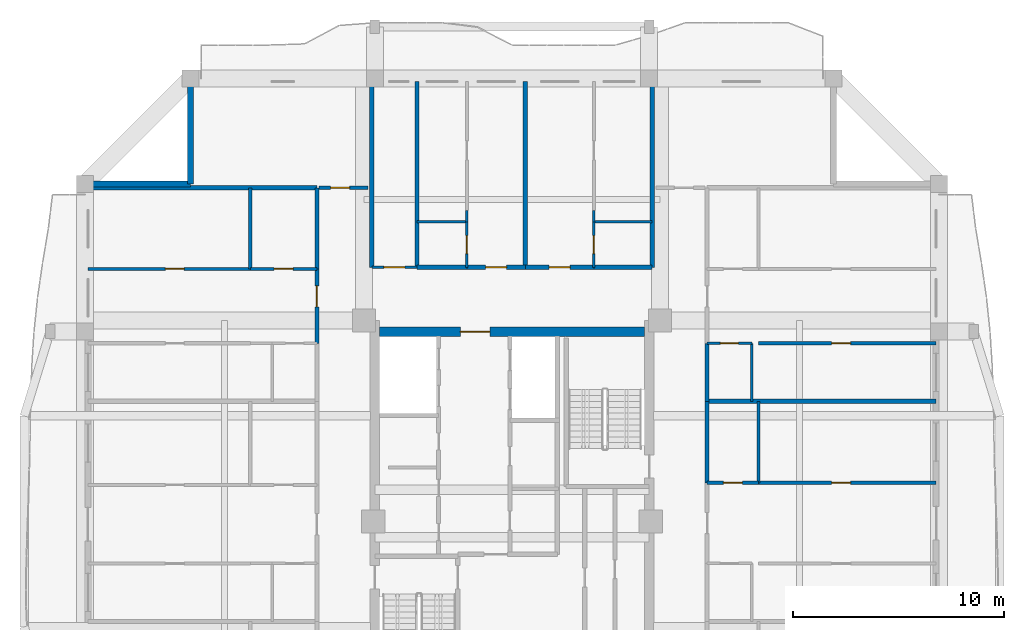
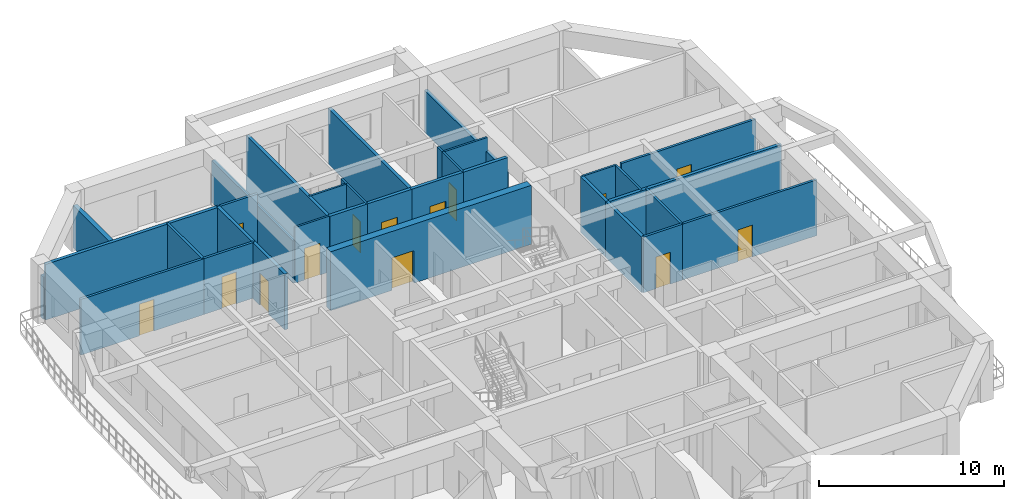
# One storey, part 6 of 14: 34 walls, 14 doors, 14 openings.
"""IFC4 building model written with IfcOpenShell, lengths in metres."""

import ifcopenshell
import ifcopenshell.guid

model = None  # the IFC model being written
_history = None  # IfcOwnerHistory: only IFC2X3 demands one
_inside = {}  # id of a spatial element -> (the spatial element, [elements in it])
_under = {}  # id of a project, library or spatial element -> (it, [spatial elements below it])
_declared = {}  # id of a project -> (the project, [libraries it declares])
_typed = {}  # id of a type object -> (the type object, [elements of that type])
_made_of = {}  # id of a material, layer set ... -> (it, [elements and type objects made of it])


def new_model(schema):
    """Start an empty IFC model of exactly this schema.

    Asked for "IFC4X3", IfcOpenShell would pick the latest addendum, in which some entities
    have other attributes; the version numbers below select the first issue.
    IFC2X3 requires an IfcOwnerHistory on every rooted entity: one is made here for all.
    """
    global model, _history
    if schema == "IFC4X3":
        model = ifcopenshell.file(schema_version=(4, 3, 0, 0))
    else:
        model = ifcopenshell.file(schema=schema)
    _inside.clear()
    _under.clear()
    _declared.clear()
    _typed.clear()
    _made_of.clear()
    _history = None
    if model.schema == "IFC2X3":
        org = make("IfcOrganization", Name="unknown")
        user = make(
            "IfcPersonAndOrganization",
            ThePerson=make("IfcPerson", FamilyName="unknown"),
            TheOrganization=org,
        )
        app = make(
            "IfcApplication",
            ApplicationDeveloper=org,
            Version="unknown",
            ApplicationFullName="unknown",
            ApplicationIdentifier="unknown",
        )
        _history = make(
            "IfcOwnerHistory",
            OwningUser=user,
            OwningApplication=app,
            ChangeAction="ADDED",
            CreationDate=0,
        )
    return model


def make(cls, **values):
    """One entity of the class cls with the attributes given. An attribute that is None is left unset."""
    return model.create_entity(
        cls, **{name: value for name, value in values.items() if value is not None}
    )


def rooted(cls, **values):
    """An entity with a GlobalId (a new one), such as an element, a storey or a relation."""
    return make(cls, GlobalId=ifcopenshell.guid.new(), OwnerHistory=_history, **values)


def si_unit(unit_type, name, prefix=None):
    """IfcSIUnit, for example si_unit("LENGTHUNIT", "METRE", prefix="MILLI")."""
    return make("IfcSIUnit", UnitType=unit_type, Prefix=prefix, Name=name)


def assignment(units):
    """IfcUnitAssignment: the units of a project."""
    return None if units is None else make("IfcUnitAssignment", Units=units)


def point(xyz):
    """IfcCartesianPoint."""
    return None if xyz is None else make("IfcCartesianPoint", Coordinates=xyz)


def direction(xyz):
    """IfcDirection."""
    return None if xyz is None else make("IfcDirection", DirectionRatios=xyz)


def frame(location, z_axis=None, x_axis=None):
    """IfcAxis2Placement3D, a coordinate frame: its origin and axes. An axis left out is left unset."""
    return make(
        "IfcAxis2Placement3D",
        Location=point(location),
        Axis=direction(z_axis),
        RefDirection=direction(x_axis),
    )


def frame_2d(location, x_axis=None):
    """IfcAxis2Placement2D, a coordinate frame in the plane: its origin and x axis."""
    return make(
        "IfcAxis2Placement2D", Location=point(location), RefDirection=direction(x_axis)
    )


def origin():
    """The frame at (0, 0, 0) with its axes left unset."""
    return frame((0.0, 0.0, 0.0))


def place(relative_to, where):
    """IfcLocalPlacement: puts the frame where relative to a parent placement (None: the world)."""
    return make(
        "IfcLocalPlacement", PlacementRelTo=relative_to, RelativePlacement=where
    )


def context(
    kind, dimensions, precision=None, world=None, true_north=None, identifier=None
):
    """IfcGeometricRepresentationContext, for example the 3D "Model" context."""
    return make(
        "IfcGeometricRepresentationContext",
        ContextIdentifier=identifier,
        ContextType=kind,
        CoordinateSpaceDimension=dimensions,
        Precision=precision,
        WorldCoordinateSystem=world,
        TrueNorth=true_north,
    )


def subcontext(parent, identifier, kind, view, scale=None):
    """IfcGeometricRepresentationSubContext, for example "Body" below "Model"."""
    return make(
        "IfcGeometricRepresentationSubContext",
        ContextIdentifier=identifier,
        ContextType=kind,
        ParentContext=parent,
        TargetScale=scale,
        TargetView=view,
    )


def project(units=None, contexts=None):
    """IfcProject with its units and contexts."""
    return rooted(
        "IfcProject",
        Name="project",
        RepresentationContexts=contexts,
        UnitsInContext=assignment(units),
    )


def spatial(cls, under=None, at=None, **own):
    """A site, building, storey or space (cls), placed at a placement, below another one or the project."""
    s = rooted(cls, ObjectPlacement=at, **own)
    if under is not None:
        _under.setdefault(under.id(), (under, []))[1].append(s)
    return s


def profile(cls, at=None, kind="AREA", **sizes):
    """A parametric profile (cls). Its sizes go by their IFC names, for example OverallWidth=200.0."""
    return make(cls, ProfileType=kind, Position=at, **sizes)


def rectangle(**sizes):
    """IfcRectangleProfileDef."""
    return profile("IfcRectangleProfileDef", **sizes)


def extrude(swept, where, along, depth):
    """IfcExtrudedAreaSolid: the profile swept, set in the frame where, extruded along a direction by depth."""
    return make(
        "IfcExtrudedAreaSolid",
        SweptArea=swept,
        Position=where,
        ExtrudedDirection=direction(along),
        Depth=depth,
    )


def shape(context_of_items, identifier, shape_type, items):
    """IfcShapeRepresentation: the items that make up one representation, for example the "Body"."""
    return make(
        "IfcShapeRepresentation",
        ContextOfItems=context_of_items,
        RepresentationIdentifier=identifier,
        RepresentationType=shape_type,
        Items=items,
    )


def source(mapping_origin, context_of_items, identifier, shape_type, items):
    """IfcRepresentationMap: a shape defined once, which mapped items show again and again."""
    return make(
        "IfcRepresentationMap",
        MappingOrigin=mapping_origin,
        MappedRepresentation=shape(context_of_items, identifier, shape_type, items),
    )


def transform(
    local_origin,
    x_axis=None,
    y_axis=None,
    z_axis=None,
    scale=None,
    scale2=None,
    scale3=None,
    uniform=True,
):
    """IfcCartesianTransformationOperator3D, or its non-uniform kind. x_axis, y_axis, z_axis: its Axis1, 2, 3."""
    if uniform:
        return make(
            "IfcCartesianTransformationOperator3D",
            Axis1=direction(x_axis),
            Axis2=direction(y_axis),
            LocalOrigin=point(local_origin),
            Scale=scale,
            Axis3=direction(z_axis),
        )
    return make(
        "IfcCartesianTransformationOperator3DnonUniform",
        Axis1=direction(x_axis),
        Axis2=direction(y_axis),
        LocalOrigin=point(local_origin),
        Scale=scale,
        Axis3=direction(z_axis),
        Scale2=scale2,
        Scale3=scale3,
    )


def mapped(mapping_source, mapping_target):
    """IfcMappedItem: shows the shape of a source again, moved by a transform."""
    return make(
        "IfcMappedItem", MappingSource=mapping_source, MappingTarget=mapping_target
    )


def material(Name=None, Category=None):
    """IfcMaterial."""
    return make("IfcMaterial", Name=Name, Category=Category)


def layer(
    of_material, thickness, ventilated=None, Name=None, Category=None, Priority=None
):
    """IfcMaterialLayer: one layer of a wall or slab, of a material (None: an air gap)."""
    return make(
        "IfcMaterialLayer",
        Material=of_material,
        LayerThickness=thickness,
        IsVentilated=ventilated,
        Name=Name,
        Category=Category,
        Priority=Priority,
    )


def layer_set(layers, Name=None):
    """IfcMaterialLayerSet."""
    return make("IfcMaterialLayerSet", MaterialLayers=layers, LayerSetName=Name)


def made_of(thing, what):
    """Note that an element or type object is made of a material, layer set ...; save() writes the relation."""
    if what is not None:
        _made_of.setdefault(what.id(), (what, []))[1].append(thing)
    return thing


def type_object(cls, material=None, **own):
    """A type object (cls), such as IfcWallType, which elements share."""
    return made_of(rooted(cls, **own), material)


def element(
    cls,
    number,
    at=None,
    inside=None,
    cuts=None,
    type_object=None,
    material=None,
    context=None,
    identifier="Body",
    shape_type=None,
    held_by="IfcProductDefinitionShape",
    body=None,
    shapes=None,
    **own,
):
    """One element of the class cls, such as IfcWall. Its Tag is "e" and its number.

    at: its placement. inside: the storey or other place that contains it. cuts: it is an
    opening in that element (IfcRelVoidsElement). A single representation is given by context,
    identifier, shape_type and body (its items); several are given by shapes. held_by: the class
    of the entity that holds the representations. save() writes the other relations.
    """
    e = rooted(cls, Tag="e%d" % number, ObjectPlacement=at, **own)
    if body is not None:
        shapes = [shape(context, identifier, shape_type, body)]
    if shapes is not None:
        e.Representation = make(held_by, Representations=shapes)
    if inside is not None:
        _inside.setdefault(inside.id(), (inside, []))[1].append(e)
    if cuts is not None:
        rooted(
            "IfcRelVoidsElement", RelatingBuildingElement=cuts, RelatedOpeningElement=e
        )
    if type_object is not None:
        _typed.setdefault(type_object.id(), (type_object, []))[1].append(e)
    return made_of(e, material)


def fill(opening, filler):
    """IfcRelFillsElement: the door or window that sits in an opening."""
    return rooted(
        "IfcRelFillsElement",
        RelatingOpeningElement=opening,
        RelatedBuildingElement=filler,
    )


def aggregate(whole, parts):
    """IfcRelAggregates: a whole, such as a stair, and the parts it consists of."""
    return rooted("IfcRelAggregates", RelatingObject=whole, RelatedObjects=parts)


def save(model, path):
    """Write the relations noted so far, then the file.

    IfcRelAggregates (storeys below a building ...), IfcRelContainedInSpatialStructure (elements
    in a storey), IfcRelDefinesByType, IfcRelAssociatesMaterial and IfcRelDeclares: one each for
    every whole, place, type object, material and project.
    """
    for whole, parts in _under.values():
        aggregate(whole, parts)
    for where, things in _inside.values():
        rooted(
            "IfcRelContainedInSpatialStructure",
            RelatedElements=things,
            RelatingStructure=where,
        )
    for kind, things in _typed.values():
        rooted("IfcRelDefinesByType", RelatedObjects=things, RelatingType=kind)
    for what, things in _made_of.values():
        rooted("IfcRelAssociatesMaterial", RelatedObjects=things, RelatingMaterial=what)
    for by, libraries in _declared.values():
        rooted("IfcRelDeclares", RelatingContext=by, RelatedDefinitions=libraries)
    model.write(path)


model = new_model("IFC4")

# Units and contexts
model_context = context("Model", 3, precision=1e-05, world=origin(), true_north=direction((0.0, 1.0)))
body_context = subcontext(model_context, "Body", "Model", "MODEL_VIEW")
ifc_project = project(units=[si_unit("LENGTHUNIT", "METRE"), si_unit("AREAUNIT", "SQUARE_METRE"), si_unit("VOLUMEUNIT", "CUBIC_METRE"), si_unit("PLANEANGLEUNIT", "RADIAN"), si_unit("MASSUNIT", "GRAM", prefix="KILO")], contexts=[model_context])

# Site, building, storey
site_placement = place(None, origin())
site = spatial("IfcSite", under=ifc_project, at=site_placement, CompositionType="ELEMENT")
building_placement = place(site_placement, origin())
building = spatial("IfcBuilding", under=site, at=building_placement, Name="Saelheon Loggia Tower", CompositionType="ELEMENT")
storey_placement = place(building_placement, frame((0.0, 0.0, 182.800048828125)))
storey = spatial("IfcBuildingStorey", under=building, at=storey_placement, Name="L57", CompositionType="ELEMENT", Elevation=182.800048828125)

# Wall, opening, door
ifc_material_1 = material(Name="Concrete C45/55", Category="concrete")
ifc_layer_1 = layer(ifc_material_1, 0.449951171875)
ifc_layer_set_1 = layer_set([ifc_layer_1], Name="Concrete C45/55")
wall_type_1 = type_object("IfcWallType", Name="Wall_CoreShear_450", PredefinedType="SHEAR", material=ifc_layer_set_1)
wall_1_placement = place(storey_placement, frame((31.72509765625, 36.0, 0.0), z_axis=(0.0, 0.0, 1.0), x_axis=(1.0, 0.0, 0.0)))
wall_1 = element("IfcWall", 1, at=wall_1_placement, inside=storey, type_object=wall_type_1, Name="L57 Core Shear Wall North", PredefinedType="SHEAR", context=body_context, shape_type="SweptSolid", body=[
    extrude(rectangle(XDim=12.5498046875, YDim=0.449951171875, at=frame_2d((6.27490234375, 0.0))), origin(), (0.0, 0.0, 1.0), 3.89990234375),
])
opening_1_placement = place(wall_1_placement, frame((5.224853515625, 0.0, 0.0), z_axis=(0.0, 0.0, 1.0), x_axis=(-1.0, 0.0, 0.0)))
opening_1 = element("IfcOpeningElement", 2, at=opening_1_placement, cuts=wall_1, Name="Opening D-FD2L", PredefinedType="OPENING", context=body_context, shape_type="SweptSolid", body=[
    extrude(rectangle(XDim=1.39990234375, YDim=2.14990234375, at=frame_2d((0.699951171875, 1.074951171875))), frame((0.0, 0.237060546875, 0.0), z_axis=(0.0, -1.0, 0.0), x_axis=(1.0, 0.0, 0.0)), (0.0, 0.0, 1.0), 0.473876953125),
])
ifc_material_2 = material(Name="Galvanised Steel Glazed Lobby Fire Door", Category="steel")
door_type_1 = type_object("IfcDoorType", Name="Door_Fire_FD60_1400", OperationType="NOTDEFINED", PredefinedType="DOOR", material=ifc_material_2)
shared_shape_1 = source(origin(), body_context, "Body", "SweptSolid", [
    extrude(rectangle(XDim=1.39990234375, YDim=2.14990234375, at=frame_2d((0.699951171875, 1.074951171875))), frame((0.0, 0.02490234375, 0.0), z_axis=(0.0, -1.0, 0.0), x_axis=(1.0, 0.0, 0.0)), (0.0, 0.0, 1.0), 0.050048828125),
])
door_1_placement = place(opening_1_placement, origin())
door_1 = element("IfcDoor", 3, at=door_1_placement, inside=storey, type_object=door_type_1, Name="L57 Passenger Lift Lobby Main Door", OperationType="SINGLE_SWING_RIGHT", OverallHeight=2.14990234375, OverallWidth=1.39990234375, PredefinedType="DOOR", context=body_context, shape_type="MappedRepresentation", body=[
    mapped(shared_shape_1, transform((0.0, 0.0, 0.0), scale=1.0)),
])
fill(opening_1, door_1)

# Walls
ifc_material_3 = material(Name="Architectural Precast Concrete C40/50", Category="concrete")
ifc_layer_2 = layer(ifc_material_3, 0.280029296875)
ifc_layer_set_2 = layer_set([ifc_layer_2], Name="Architectural Precast Concrete C40/50")
wall_type_2 = type_object("IfcWallType", Name="Wall_Ext_Loggia_280", PredefinedType="SOLIDWALL", material=ifc_layer_set_2)
for number, where, z_axis, x_axis, name in (
    (4, (22.75, 43.0, 0.0), (0.0, 0.0, 1.0), (0.0, 1.0, 0.0), "L57 Corner Notch Precast Wall NW1"),
    (5, (17.830078125, 43.0, 0.0), (0.0, 0.0, 1.0), (1.0, 0.0, 0.0), "L57 Corner Notch Precast Wall NW2"),
):
    element("IfcWall", number, at=place(storey_placement, frame(where, z_axis=z_axis, x_axis=x_axis)), inside=storey, type_object=wall_type_2, Name=name, PredefinedType="SOLIDWALL", context=body_context, shape_type="SweptSolid", body=[
        extrude(rectangle(XDim=4.919921875, YDim=0.280029296875, at=frame_2d((2.4599609375, 0.0))), origin(), (0.0, 0.0, 1.0), 2.7900390625),
    ])

# Wall, opening, door
ifc_material_4 = material(Name="Lightweight Autoclaved Aerated Concrete Block and Acoustic Gypsum", Category="concrete")
ifc_layer_3 = layer(ifc_material_4, 0.14990234375)
ifc_layer_set_3 = layer_set([ifc_layer_3], Name="Lightweight Autoclaved Aerated Concrete Block and Acoustic Gypsum")
wall_type_3 = type_object("IfcWallType", Name="Wall_Part_150", PredefinedType="PARTITIONING", material=ifc_layer_set_3)
wall_2_placement = place(storey_placement, frame((28.85009765625, 42.820068359375, 0.0), z_axis=(0.0, 0.0, 1.0), x_axis=(1.0, 0.0, 0.0)))
wall_2 = element("IfcWall", 6, at=wall_2_placement, inside=storey, type_object=wall_type_3, Name="PW-L57-CNW-H", PredefinedType="PARTITIONING", context=body_context, shape_type="SweptSolid", body=[
    extrude(rectangle(XDim=2.329833984375, YDim=0.14990234375, at=frame_2d((1.1650390625, 0.0))), origin(), (0.0, 0.0, 1.0), 3.68994140625),
])
opening_2_placement = place(wall_2_placement, frame((0.550048828125, 0.0, 0.0)))
opening_2 = element("IfcOpeningElement", 7, at=opening_2_placement, cuts=wall_2, Name="Opening D-IN2", PredefinedType="OPENING", context=body_context, shape_type="SweptSolid", body=[
    extrude(rectangle(XDim=0.89990234375, YDim=2.10009765625, at=frame_2d((0.449951171875, 1.050048828125))), frame((0.0, 0.0869140625, 0.0), z_axis=(0.0, -1.0, 0.0), x_axis=(1.0, 0.0, 0.0)), (0.0, 0.0, 1.0), 0.173828125),
])
ifc_material_5 = material(Name="Engineered Oak Flush Door", Category="timber")
door_type_2 = type_object("IfcDoorType", Name="Door_Int_900", OperationType="NOTDEFINED", PredefinedType="DOOR", material=ifc_material_5)
shared_shape_2 = source(origin(), body_context, "Body", "SweptSolid", [
    extrude(rectangle(XDim=0.89990234375, YDim=2.10009765625, at=frame_2d((0.449951171875, 1.050048828125))), frame((0.0, 0.02490234375, 0.0), z_axis=(0.0, -1.0, 0.0), x_axis=(1.0, 0.0, 0.0)), (0.0, 0.0, 1.0), 0.050048828125),
])
door_2_placement = place(opening_2_placement, origin())
door_2 = element("IfcDoor", 8, at=door_2_placement, inside=storey, type_object=door_type_2, Name="L57 Corner Home Office NW Door", OperationType="SINGLE_SWING_RIGHT", OverallHeight=2.10009765625, OverallWidth=0.89990234375, PredefinedType="DOOR", context=body_context, shape_type="MappedRepresentation", body=[
    mapped(shared_shape_2, transform((0.0, 0.0, 0.0), scale=1.0)),
])
fill(opening_2, door_2)

# Wall
wall_3_placement = place(storey_placement, frame((25.590087890625, 38.97265625, 0.0), z_axis=(0.0, 0.0, 1.0), x_axis=(0.0, 1.0, 0.0)))
element("IfcWall", 9, at=wall_3_placement, inside=storey, type_object=wall_type_3, Name="L57 W Partition V29", PredefinedType="PARTITIONING", context=body_context, shape_type="SweptSolid", body=[
    extrude(rectangle(XDim=3.847412109375, YDim=0.14990234375, at=frame_2d((1.923828125, 0.0))), origin(), (0.0, 0.0, 1.0), 3.68994140625),
])

# Wall, opening, door
wall_4_placement = place(storey_placement, frame((28.75, 38.97265625, 0.0), z_axis=(0.0, 0.0, 1.0), x_axis=(-1.0, 0.0, 0.0)))
wall_4 = element("IfcWall", 10, at=wall_4_placement, inside=storey, type_object=wall_type_3, Name="L57 W Partition U33", PredefinedType="PARTITIONING", context=body_context, shape_type="SweptSolid", body=[
    extrude(rectangle(XDim=3.159912109375, YDim=0.14990234375, at=frame_2d((1.580078125, 0.0))), origin(), (0.0, 0.0, 1.0), 3.68994140625),
])
opening_3_placement = place(wall_4_placement, frame((1.1298828125, 0.0, 0.0)))
opening_3 = element("IfcOpeningElement", 11, at=opening_3_placement, cuts=wall_4, Name="Opening D-IN2", PredefinedType="OPENING", context=body_context, shape_type="SweptSolid", body=[
    extrude(rectangle(XDim=0.89990234375, YDim=2.10009765625, at=frame_2d((0.449951171875, 1.050048828125))), frame((0.0, 0.0869140625, 0.0), z_axis=(0.0, -1.0, 0.0), x_axis=(1.0, 0.0, 0.0)), (0.0, 0.0, 1.0), 0.173828125),
])
door_3_placement = place(opening_3_placement, origin())
door_3 = element("IfcDoor", 12, at=door_3_placement, inside=storey, type_object=door_type_2, Name="Unit U07 Private Study Door", OperationType="SINGLE_SWING_LEFT", OverallHeight=2.10009765625, OverallWidth=0.89990234375, PredefinedType="DOOR", context=body_context, shape_type="MappedRepresentation", body=[
    mapped(shared_shape_2, transform((0.0, 0.0, 0.0), scale=1.0)),
])
fill(opening_3, door_3)

wall_5_placement = place(storey_placement, frame((25.590087890625, 38.97265625, 0.0), z_axis=(0.0, 0.0, 1.0), x_axis=(-1.0, 0.0, 0.0)))
wall_5 = element("IfcWall", 13, at=wall_5_placement, inside=storey, type_object=wall_type_3, Name="L57 W Partition U34", PredefinedType="PARTITIONING", context=body_context, shape_type="SweptSolid", body=[
    extrude(rectangle(XDim=7.690185546875, YDim=0.14990234375, at=frame_2d((3.84521484375, 0.0))), origin(), (0.0, 0.0, 1.0), 3.68994140625),
])
opening_4_placement = place(wall_5_placement, frame((3.132080078125, 0.0, 0.0)))
opening_4 = element("IfcOpeningElement", 14, at=opening_4_placement, cuts=wall_5, Name="Opening D-IN2", PredefinedType="OPENING", context=body_context, shape_type="SweptSolid", body=[
    extrude(rectangle(XDim=0.89990234375, YDim=2.10009765625, at=frame_2d((0.449951171875, 1.050048828125))), frame((0.0, 0.0869140625, 0.0), z_axis=(0.0, -1.0, 0.0), x_axis=(1.0, 0.0, 0.0)), (0.0, 0.0, 1.0), 0.173828125),
])
door_4_placement = place(opening_4_placement, origin())
door_4 = element("IfcDoor", 15, at=door_4_placement, inside=storey, type_object=door_type_2, Name="Unit U07 Bedroom 1 Door", OperationType="SINGLE_SWING_RIGHT", OverallHeight=2.10009765625, OverallWidth=0.89990234375, PredefinedType="DOOR", context=body_context, shape_type="MappedRepresentation", body=[
    mapped(shared_shape_2, transform((0.0, 0.0, 0.0), scale=1.0)),
])
fill(opening_4, door_4)

# Wall
wall_6_placement = place(storey_placement, frame((49.68994140625, 28.830810546875, 0.0), z_axis=(0.0, 0.0, 1.0), x_axis=(0.0, 1.0, 0.0)))
element("IfcWall", 16, at=wall_6_placement, inside=storey, type_object=wall_type_3, Name="L57 E Partition V17", PredefinedType="PARTITIONING", context=body_context, shape_type="SweptSolid", body=[
    extrude(rectangle(XDim=3.864501953125, YDim=0.14990234375, at=frame_2d((1.93212890625, 0.0))), origin(), (0.0, 0.0, 1.0), 3.68994140625),
])

# Wall, opening, door
wall_7_placement = place(storey_placement, frame((47.25, 28.830810546875, 0.0), z_axis=(0.0, 0.0, 1.0), x_axis=(1.0, 0.0, 0.0)))
wall_7 = element("IfcWall", 17, at=wall_7_placement, inside=storey, type_object=wall_type_3, Name="L57 E Partition U20", PredefinedType="PARTITIONING", context=body_context, shape_type="SweptSolid", body=[
    extrude(rectangle(XDim=2.43994140625, YDim=0.14990234375, at=frame_2d((1.219970703125, 0.0))), origin(), (0.0, 0.0, 1.0), 3.68994140625),
])
opening_5_placement = place(wall_7_placement, frame((0.77001953125, 0.0, 0.0)))
opening_5 = element("IfcOpeningElement", 18, at=opening_5_placement, cuts=wall_7, Name="Opening D-IN2", PredefinedType="OPENING", context=body_context, shape_type="SweptSolid", body=[
    extrude(rectangle(XDim=0.89990234375, YDim=2.10009765625, at=frame_2d((0.449951171875, 1.050048828125))), frame((0.0, 0.0869140625, 0.0), z_axis=(0.0, -1.0, 0.0), x_axis=(1.0, 0.0, 0.0)), (0.0, 0.0, 1.0), 0.173828125),
])
door_5_placement = place(opening_5_placement, origin())
door_5 = element("IfcDoor", 19, at=door_5_placement, inside=storey, type_object=door_type_2, Name="Unit U09 Dressing Closet Door", OperationType="SINGLE_SWING_LEFT", OverallHeight=2.10009765625, OverallWidth=0.89990234375, PredefinedType="DOOR", context=body_context, shape_type="MappedRepresentation", body=[
    mapped(shared_shape_2, transform((0.0, 0.0, 0.0), scale=1.0)),
])
fill(opening_5, door_5)

wall_8_placement = place(storey_placement, frame((49.68994140625, 28.830810546875, 0.0), z_axis=(0.0, 0.0, 1.0), x_axis=(1.0, 0.0, 0.0)))
wall_8 = element("IfcWall", 20, at=wall_8_placement, inside=storey, type_object=wall_type_3, Name="L57 E Partition U21", PredefinedType="PARTITIONING", context=body_context, shape_type="SweptSolid", body=[
    extrude(rectangle(XDim=8.41015625, YDim=0.14990234375, at=frame_2d((4.205078125, 0.0))), origin(), (0.0, 0.0, 1.0), 3.68994140625),
])
opening_6_placement = place(wall_8_placement, frame((3.462158203125, 0.0, 0.0)))
opening_6 = element("IfcOpeningElement", 21, at=opening_6_placement, cuts=wall_8, Name="Opening D-IN2", PredefinedType="OPENING", context=body_context, shape_type="SweptSolid", body=[
    extrude(rectangle(XDim=0.89990234375, YDim=2.10009765625, at=frame_2d((0.449951171875, 1.050048828125))), frame((0.0, 0.0869140625, 0.0), z_axis=(0.0, -1.0, 0.0), x_axis=(1.0, 0.0, 0.0)), (0.0, 0.0, 1.0), 0.173828125),
])
door_6_placement = place(opening_6_placement, origin())
door_6 = element("IfcDoor", 22, at=door_6_placement, inside=storey, type_object=door_type_2, Name="Unit U09 Bedroom 1 Door", OperationType="SINGLE_SWING_RIGHT", OverallHeight=2.10009765625, OverallWidth=0.89990234375, PredefinedType="DOOR", context=body_context, shape_type="MappedRepresentation", body=[
    mapped(shared_shape_2, transform((0.0, 0.0, 0.0), scale=1.0)),
])
fill(opening_6, door_6)

wall_9_placement = place(storey_placement, frame((49.68994140625, 35.4453125, 0.0), z_axis=(0.0, 0.0, 1.0), x_axis=(1.0, 0.0, 0.0)))
wall_9 = element("IfcWall", 23, at=wall_9_placement, inside=storey, type_object=wall_type_3, Name="L57 E Partition U29", PredefinedType="PARTITIONING", context=body_context, shape_type="SweptSolid", body=[
    extrude(rectangle(XDim=8.41015625, YDim=0.14990234375, at=frame_2d((4.205078125, 0.0))), origin(), (0.0, 0.0, 1.0), 3.68994140625),
])
opening_7_placement = place(wall_9_placement, frame((3.462158203125, 0.0, 0.0)))
opening_7 = element("IfcOpeningElement", 24, at=opening_7_placement, cuts=wall_9, Name="Opening D-IN2", PredefinedType="OPENING", context=body_context, shape_type="SweptSolid", body=[
    extrude(rectangle(XDim=0.89990234375, YDim=2.10009765625, at=frame_2d((0.449951171875, 1.050048828125))), frame((0.0, 0.0869140625, 0.0), z_axis=(0.0, -1.0, 0.0), x_axis=(1.0, 0.0, 0.0)), (0.0, 0.0, 1.0), 0.173828125),
])
door_7_placement = place(opening_7_placement, origin())
door_7 = element("IfcDoor", 25, at=door_7_placement, inside=storey, type_object=door_type_2, Name="Unit U10 Kitchen Door", OperationType="SINGLE_SWING_LEFT", OverallHeight=2.10009765625, OverallWidth=0.89990234375, PredefinedType="DOOR", context=body_context, shape_type="MappedRepresentation", body=[
    mapped(shared_shape_2, transform((0.0, 0.0, 0.0), scale=1.0)),
])
fill(opening_7, door_7)

# Walls
ifc_material_6 = material(Name="Double Acoustic Stud and Fireboard Partition", Category="gypsum")
ifc_layer_4 = layer(ifc_material_6, 0.199951171875)
ifc_layer_set_4 = layer_set([ifc_layer_4], Name="Double Acoustic Stud and Fireboard Partition")
wall_type_4 = type_object("IfcWallType", Name="Wall_Party_200", PredefinedType="PARTITIONING", material=ifc_layer_set_4)
for number, where, z_axis, x_axis, name in (
    (26, (31.35009765625, 39.050048828125, 0.0), (0.0, 0.0, 1.0), (0.0, 1.0, 0.0), "L57 N Partition U01"),
    (27, (44.64990234375, 39.050048828125, 0.0), (0.0, 0.0, 1.0), (0.0, 1.0, 0.0), "L57 N Partition U02"),
):
    element("IfcWall", number, at=place(storey_placement, frame(where, z_axis=z_axis, x_axis=x_axis)), inside=storey, type_object=wall_type_4, Name=name, PredefinedType="PARTITIONING", context=body_context, shape_type="SweptSolid", body=[
        extrude(rectangle(XDim=8.800048828125, YDim=0.199951171875, at=frame_2d((4.39990234375, 0.0))), origin(), (0.0, 0.0, 1.0), 2.7900390625),
    ])
wall_10_placement = place(storey_placement, frame((33.5, 39.050048828125, 0.0), z_axis=(0.0, 0.0, 1.0), x_axis=(0.0, 1.0, 0.0)))
element("IfcWall", 28, at=wall_10_placement, inside=storey, type_object=wall_type_4, Name="L57 N Partition U03", PredefinedType="PARTITIONING", context=body_context, shape_type="SweptSolid", body=[
    extrude(rectangle(XDim=8.800048828125, YDim=0.199951171875, at=frame_2d((4.39990234375, 0.0))), origin(), (0.0, 0.0, 1.0), 3.68994140625),
])
wall_11_placement = place(storey_placement, frame((33.5, 39.050048828125, 0.0), z_axis=(0.0, 0.0, 1.0), x_axis=(1.0, 0.0, 0.0)))
element("IfcWall", 29, at=wall_11_placement, inside=storey, type_object=wall_type_4, Name="L57 N Partition V05", PredefinedType="PARTITIONING", context=body_context, shape_type="SweptSolid", body=[
    extrude(rectangle(XDim=2.359375, YDim=0.199951171875, at=frame_2d((1.1796875, 0.0))), origin(), (0.0, 0.0, 1.0), 3.68994140625),
])

# Wall, opening, door
wall_12_placement = place(storey_placement, frame((35.859375, 39.050048828125, 0.0), z_axis=(0.0, 0.0, 1.0), x_axis=(1.0, 0.0, 0.0)))
wall_12 = element("IfcWall", 30, at=wall_12_placement, inside=storey, type_object=wall_type_4, Name="L57 N Partition V06", PredefinedType="PARTITIONING", context=body_context, shape_type="SweptSolid", body=[
    extrude(rectangle(XDim=2.76953125, YDim=0.199951171875, at=frame_2d((1.384765625, 0.0))), origin(), (0.0, 0.0, 1.0), 3.68994140625),
])
opening_8_placement = place(wall_12_placement, frame((0.885009765625, 0.0, 0.0)))
opening_8 = element("IfcOpeningElement", 31, at=opening_8_placement, cuts=wall_12, Name="Opening D-FD1", PredefinedType="OPENING", context=body_context, shape_type="SweptSolid", body=[
    extrude(rectangle(XDim=1.0, YDim=2.14990234375, at=frame_2d((0.5, 1.074951171875))), frame((0.0, 0.112060546875, 0.0), z_axis=(0.0, -1.0, 0.0), x_axis=(1.0, 0.0, 0.0)), (0.0, 0.0, 1.0), 0.223876953125),
])
ifc_material_7 = material(Name="Fire-Rated Engineered Timber Entrance Door", Category="wood")
door_type_3 = type_object("IfcDoorType", Name="Door_Flat_FD30S", OperationType="NOTDEFINED", PredefinedType="DOOR", material=ifc_material_7)
shared_shape_3 = source(origin(), body_context, "Body", "SweptSolid", [
    extrude(rectangle(XDim=1.0, YDim=2.14990234375, at=frame_2d((0.5, 1.074951171875))), frame((0.0, 0.02490234375, 0.0), z_axis=(0.0, -1.0, 0.0), x_axis=(1.0, 0.0, 0.0)), (0.0, 0.0, 1.0), 0.050048828125),
])
door_8_placement = place(opening_8_placement, origin())
door_8 = element("IfcDoor", 32, at=door_8_placement, inside=storey, type_object=door_type_3, Name="Unit U03 Entrance Door", OperationType="SINGLE_SWING_RIGHT", OverallHeight=2.14990234375, OverallWidth=1.0, PredefinedType="DOOR", context=body_context, shape_type="MappedRepresentation", body=[
    mapped(shared_shape_3, transform((0.0, 0.0, 0.0), scale=1.0)),
])
fill(opening_8, door_8)

# Wall
wall_13_placement = place(storey_placement, frame((38.62890625, 39.050048828125, 0.0), z_axis=(0.0, 0.0, 1.0), x_axis=(0.0, 1.0, 0.0)))
element("IfcWall", 33, at=wall_13_placement, inside=storey, type_object=wall_type_4, Name="L57 N Partition U11", PredefinedType="PARTITIONING", context=body_context, shape_type="SweptSolid", body=[
    extrude(rectangle(XDim=8.800048828125, YDim=0.199951171875, at=frame_2d((4.39990234375, 0.0))), origin(), (0.0, 0.0, 1.0), 3.68994140625),
])

# Wall, opening, door
wall_14_placement = place(storey_placement, frame((38.62890625, 39.050048828125, 0.0), z_axis=(0.0, 0.0, 1.0), x_axis=(1.0, 0.0, 0.0)))
wall_14 = element("IfcWall", 34, at=wall_14_placement, inside=storey, type_object=wall_type_4, Name="L57 N Partition V12", PredefinedType="PARTITIONING", context=body_context, shape_type="SweptSolid", body=[
    extrude(rectangle(XDim=3.25146484375, YDim=0.199951171875, at=frame_2d((1.625732421875, 0.0))), origin(), (0.0, 0.0, 1.0), 3.68994140625),
])
opening_9_placement = place(wall_14_placement, frame((1.125732421875, 0.0, 0.0)))
opening_9 = element("IfcOpeningElement", 35, at=opening_9_placement, cuts=wall_14, Name="Opening D-FD1", PredefinedType="OPENING", context=body_context, shape_type="SweptSolid", body=[
    extrude(rectangle(XDim=1.0, YDim=2.14990234375, at=frame_2d((0.5, 1.074951171875))), frame((0.0, 0.112060546875, 0.0), z_axis=(0.0, -1.0, 0.0), x_axis=(1.0, 0.0, 0.0)), (0.0, 0.0, 1.0), 0.223876953125),
])
door_9_placement = place(opening_9_placement, origin())
door_9 = element("IfcDoor", 36, at=door_9_placement, inside=storey, type_object=door_type_3, Name="Unit U04 Entrance Door", OperationType="SINGLE_SWING_LEFT", OverallHeight=2.14990234375, OverallWidth=1.0, PredefinedType="DOOR", context=body_context, shape_type="MappedRepresentation", body=[
    mapped(shared_shape_3, transform((0.0, 0.0, 0.0), scale=1.0)),
])
fill(opening_9, door_9)

# Walls
wall_15_placement = place(storey_placement, frame((41.88037109375, 39.050048828125, 0.0), z_axis=(0.0, 0.0, 1.0), x_axis=(1.0, 0.0, 0.0)))
element("IfcWall", 37, at=wall_15_placement, inside=storey, type_object=wall_type_4, Name="L57 N Partition V13", PredefinedType="PARTITIONING", context=body_context, shape_type="SweptSolid", body=[
    extrude(rectangle(XDim=2.76953125, YDim=0.199951171875, at=frame_2d((1.384765625, 0.0))), origin(), (0.0, 0.0, 1.0), 3.68994140625),
])
wall_16_placement = place(storey_placement, frame((28.75, 42.820068359375, 0.0), z_axis=(0.0, 0.0, 1.0), x_axis=(-1.0, 0.0, 0.0)))
element("IfcWall", 38, at=wall_16_placement, inside=storey, type_object=wall_type_4, Name="L57 W Partition U02", PredefinedType="PARTITIONING", context=body_context, shape_type="SweptSolid", body=[
    extrude(rectangle(XDim=10.85009765625, YDim=0.199951171875, at=frame_2d((5.425048828125, 0.0))), origin(), (0.0, 0.0, 1.0), 3.68994140625),
])

# Wall, opening, door
wall_17_placement = place(storey_placement, frame((28.75, 35.4453125, 0.0), z_axis=(0.0, 0.0, 1.0), x_axis=(0.0, 1.0, 0.0)))
wall_17 = element("IfcWall", 39, at=wall_17_placement, inside=storey, type_object=wall_type_4, Name="L57 W Partition V26", PredefinedType="PARTITIONING", context=body_context, shape_type="SweptSolid", body=[
    extrude(rectangle(XDim=3.52734375, YDim=0.199951171875, at=frame_2d((1.763671875, 0.0))), origin(), (0.0, 0.0, 1.0), 3.68994140625),
])
opening_10_placement = place(wall_17_placement, frame((1.7236328125, 0.0, 0.0)))
opening_10 = element("IfcOpeningElement", 40, at=opening_10_placement, cuts=wall_17, Name="Opening D-FD1", PredefinedType="OPENING", context=body_context, shape_type="SweptSolid", body=[
    extrude(rectangle(XDim=1.0, YDim=2.14990234375, at=frame_2d((0.5, 1.074951171875))), frame((0.0, 0.112060546875, 0.0), z_axis=(0.0, -1.0, 0.0), x_axis=(1.0, 0.0, 0.0)), (0.0, 0.0, 1.0), 0.223876953125),
])
door_10_placement = place(opening_10_placement, origin())
door_10 = element("IfcDoor", 41, at=door_10_placement, inside=storey, type_object=door_type_3, Name="Unit U07 Entrance Door", OperationType="SINGLE_SWING_RIGHT", OverallHeight=2.14990234375, OverallWidth=1.0, PredefinedType="DOOR", context=body_context, shape_type="MappedRepresentation", body=[
    mapped(shared_shape_3, transform((0.0, 0.0, 0.0), scale=1.0)),
])
fill(opening_10, door_10)

# Walls
wall_18_placement = place(storey_placement, frame((28.75, 38.97265625, 0.0), z_axis=(0.0, 0.0, 1.0), x_axis=(0.0, 1.0, 0.0)))
element("IfcWall", 42, at=wall_18_placement, inside=storey, type_object=wall_type_4, Name="L57 W Partition V27", PredefinedType="PARTITIONING", context=body_context, shape_type="SweptSolid", body=[
    extrude(rectangle(XDim=3.847412109375, YDim=0.199951171875, at=frame_2d((1.923828125, 0.0))), origin(), (0.0, 0.0, 1.0), 3.68994140625),
])
wall_19_placement = place(storey_placement, frame((47.25, 28.830810546875, 0.0), z_axis=(0.0, 0.0, 1.0), x_axis=(0.0, 1.0, 0.0)))
element("IfcWall", 43, at=wall_19_placement, inside=storey, type_object=wall_type_4, Name="L57 E Partition V15", PredefinedType="PARTITIONING", context=body_context, shape_type="SweptSolid", body=[
    extrude(rectangle(XDim=3.864501953125, YDim=0.199951171875, at=frame_2d((1.93212890625, 0.0))), origin(), (0.0, 0.0, 1.0), 3.68994140625),
])
wall_20_placement = place(storey_placement, frame((47.25, 32.6953125, 0.0), z_axis=(0.0, 0.0, 1.0), x_axis=(1.0, 0.0, 0.0)))
element("IfcWall", 44, at=wall_20_placement, inside=storey, type_object=wall_type_4, Name="L57 E Partition U22", PredefinedType="PARTITIONING", context=body_context, shape_type="SweptSolid", body=[
    extrude(rectangle(XDim=10.85009765625, YDim=0.199951171875, at=frame_2d((5.425048828125, 0.0))), origin(), (0.0, 0.0, 1.0), 3.68994140625),
])
wall_21_placement = place(storey_placement, frame((47.25, 32.6953125, 0.0), z_axis=(0.0, 0.0, 1.0), x_axis=(0.0, 1.0, 0.0)))
element("IfcWall", 45, at=wall_21_placement, inside=storey, type_object=wall_type_4, Name="L57 E Partition V23", PredefinedType="PARTITIONING", context=body_context, shape_type="SweptSolid", body=[
    extrude(rectangle(XDim=2.75, YDim=0.199951171875, at=frame_2d((1.375, 0.0))), origin(), (0.0, 0.0, 1.0), 3.68994140625),
])

# Wall, opening, door
ifc_material_8 = material(Name="Moisture-Resistant Cement Board Partition", Category="gypsum")
ifc_layer_5 = layer(ifc_material_8, 0.1201171875)
ifc_layer_set_5 = layer_set([ifc_layer_5], Name="Moisture-Resistant Cement Board Partition")
wall_type_5 = type_object("IfcWallType", Name="Wall_WetPart_120", PredefinedType="PARTITIONING", material=ifc_layer_set_5)
wall_22_placement = place(storey_placement, frame((31.35009765625, 39.050048828125, 0.0), z_axis=(0.0, 0.0, 1.0), x_axis=(1.0, 0.0, 0.0)))
wall_22 = element("IfcWall", 46, at=wall_22_placement, inside=storey, type_object=wall_type_5, Name="L57 N Partition V04", PredefinedType="PARTITIONING", context=body_context, shape_type="SweptSolid", body=[
    extrude(rectangle(XDim=2.14990234375, YDim=0.1201171875, at=frame_2d((1.074951171875, 0.0))), origin(), (0.0, 0.0, 1.0), 3.68994140625),
])
opening_11_placement = place(wall_22_placement, frame((0.574951171875, 0.0, 0.0)))
opening_11 = element("IfcOpeningElement", 47, at=opening_11_placement, cuts=wall_22, Name="Opening D-AC1", PredefinedType="OPENING", context=body_context, shape_type="SweptSolid", body=[
    extrude(rectangle(XDim=1.0, YDim=2.10009765625, at=frame_2d((0.5, 1.050048828125))), frame((0.0, 0.072021484375, 0.0), z_axis=(0.0, -1.0, 0.0), x_axis=(1.0, 0.0, 0.0)), (0.0, 0.0, 1.0), 0.14404296875),
])
ifc_material_9 = material(Name="Accessible Laminate Flush Door", Category="timber")
door_type_4 = type_object("IfcDoorType", Name="Door_Acc_1000", OperationType="NOTDEFINED", PredefinedType="DOOR", material=ifc_material_9)
shared_shape_4 = source(origin(), body_context, "Body", "SweptSolid", [
    extrude(rectangle(XDim=1.0, YDim=2.10009765625, at=frame_2d((0.5, 1.050048828125))), frame((0.0, 0.02490234375, 0.0), z_axis=(0.0, -1.0, 0.0), x_axis=(1.0, 0.0, 0.0)), (0.0, 0.0, 1.0), 0.050048828125),
])
door_11_placement = place(opening_11_placement, origin())
door_11 = element("IfcDoor", 48, at=door_11_placement, inside=storey, type_object=door_type_4, Name="L57 Floor Accessible WC Door", OperationType="SINGLE_SWING_LEFT", OverallHeight=2.10009765625, OverallWidth=1.0, PredefinedType="DOOR", context=body_context, shape_type="MappedRepresentation", body=[
    mapped(shared_shape_4, transform((0.0, 0.0, 0.0), scale=1.0)),
])
fill(opening_11, door_11)

wall_23_placement = place(storey_placement, frame((35.859375, 39.050048828125, 0.0), z_axis=(0.0, 0.0, 1.0), x_axis=(0.0, 1.0, 0.0)))
wall_23 = element("IfcWall", 49, at=wall_23_placement, inside=storey, type_object=wall_type_5, Name="L57 N Partition U07", PredefinedType="PARTITIONING", context=body_context, shape_type="SweptSolid", body=[
    extrude(rectangle(XDim=2.14990234375, YDim=0.1201171875, at=frame_2d((1.074951171875, 0.0))), origin(), (0.0, 0.0, 1.0), 3.68994140625),
])
opening_12_placement = place(wall_23_placement, frame((0.64990234375, 0.0, 0.0)))
opening_12 = element("IfcOpeningElement", 50, at=opening_12_placement, cuts=wall_23, Name="Opening D-BT1", PredefinedType="OPENING", context=body_context, shape_type="SweptSolid", body=[
    extrude(rectangle(XDim=0.85009765625, YDim=2.050048828125, at=frame_2d((0.425048828125, 1.02490234375))), frame((0.0, 0.072021484375, 0.0), z_axis=(0.0, -1.0, 0.0), x_axis=(1.0, 0.0, 0.0)), (0.0, 0.0, 1.0), 0.14404296875),
])
ifc_material_10 = material(Name="Moisture-Resistant Laminate Timber Door", Category="wood")
door_type_5 = type_object("IfcDoorType", Name="Door_Bath_850", OperationType="NOTDEFINED", PredefinedType="DOOR", material=ifc_material_10)
shared_shape_5 = source(origin(), body_context, "Body", "SweptSolid", [
    extrude(rectangle(XDim=0.85009765625, YDim=2.050048828125, at=frame_2d((0.425048828125, 1.02490234375))), frame((0.0, 0.02490234375, 0.0), z_axis=(0.0, -1.0, 0.0), x_axis=(1.0, 0.0, 0.0)), (0.0, 0.0, 1.0), 0.050048828125),
])
door_12_placement = place(opening_12_placement, origin())
door_12 = element("IfcDoor", 51, at=door_12_placement, inside=storey, type_object=door_type_5, Name="Unit U03 Bathroom Door", OperationType="SINGLE_SWING_LEFT", OverallHeight=2.050048828125, OverallWidth=0.85009765625, PredefinedType="DOOR", context=body_context, shape_type="MappedRepresentation", body=[
    mapped(shared_shape_5, transform((0.0, 0.0, 0.0), scale=1.0)),
])
fill(opening_12, door_12)

# Walls
wall_24_placement = place(storey_placement, frame((35.859375, 41.199951171875, 0.0), z_axis=(0.0, 0.0, 1.0), x_axis=(0.0, 1.0, 0.0)))
element("IfcWall", 52, at=wall_24_placement, inside=storey, type_object=wall_type_5, Name="L57 N Partition U08", PredefinedType="PARTITIONING", context=body_context, shape_type="SweptSolid", body=[
    extrude(rectangle(XDim=0.530029296875, YDim=0.1201171875, at=frame_2d((0.26513671875, 0.0))), origin(), (0.0, 0.0, 1.0), 3.68994140625),
])
wall_25_placement = place(storey_placement, frame((33.5, 41.199951171875, 0.0), z_axis=(0.0, 0.0, 1.0), x_axis=(1.0, 0.0, 0.0)))
element("IfcWall", 53, at=wall_25_placement, inside=storey, type_object=wall_type_5, Name="L57 N Partition V09", PredefinedType="PARTITIONING", context=body_context, shape_type="SweptSolid", body=[
    extrude(rectangle(XDim=2.359375, YDim=0.1201171875, at=frame_2d((1.1796875, 0.0))), origin(), (0.0, 0.0, 1.0), 3.68994140625),
])

# Wall, opening, door
wall_26_placement = place(storey_placement, frame((41.88037109375, 39.050048828125, 0.0), z_axis=(0.0, 0.0, 1.0), x_axis=(0.0, 1.0, 0.0)))
wall_26 = element("IfcWall", 54, at=wall_26_placement, inside=storey, type_object=wall_type_5, Name="L57 N Partition U14", PredefinedType="PARTITIONING", context=body_context, shape_type="SweptSolid", body=[
    extrude(rectangle(XDim=2.14990234375, YDim=0.1201171875, at=frame_2d((1.074951171875, 0.0))), origin(), (0.0, 0.0, 1.0), 3.68994140625),
])
opening_13_placement = place(wall_26_placement, frame((0.64990234375, 0.0, 0.0)))
opening_13 = element("IfcOpeningElement", 55, at=opening_13_placement, cuts=wall_26, Name="Opening D-BT1", PredefinedType="OPENING", context=body_context, shape_type="SweptSolid", body=[
    extrude(rectangle(XDim=0.85009765625, YDim=2.050048828125, at=frame_2d((0.425048828125, 1.02490234375))), frame((0.0, 0.072021484375, 0.0), z_axis=(0.0, -1.0, 0.0), x_axis=(1.0, 0.0, 0.0)), (0.0, 0.0, 1.0), 0.14404296875),
])
door_13_placement = place(opening_13_placement, origin())
door_13 = element("IfcDoor", 56, at=door_13_placement, inside=storey, type_object=door_type_5, Name="Unit U04 Bathroom Door", OperationType="SINGLE_SWING_RIGHT", OverallHeight=2.050048828125, OverallWidth=0.85009765625, PredefinedType="DOOR", context=body_context, shape_type="MappedRepresentation", body=[
    mapped(shared_shape_5, transform((0.0, 0.0, 0.0), scale=1.0)),
])
fill(opening_13, door_13)

# Walls
wall_27_placement = place(storey_placement, frame((41.88037109375, 41.199951171875, 0.0), z_axis=(0.0, 0.0, 1.0), x_axis=(0.0, 1.0, 0.0)))
element("IfcWall", 57, at=wall_27_placement, inside=storey, type_object=wall_type_5, Name="L57 N Partition U15", PredefinedType="PARTITIONING", context=body_context, shape_type="SweptSolid", body=[
    extrude(rectangle(XDim=0.530029296875, YDim=0.1201171875, at=frame_2d((0.26513671875, 0.0))), origin(), (0.0, 0.0, 1.0), 3.68994140625),
])
wall_28_placement = place(storey_placement, frame((41.88037109375, 41.199951171875, 0.0), z_axis=(0.0, 0.0, 1.0), x_axis=(1.0, 0.0, 0.0)))
element("IfcWall", 58, at=wall_28_placement, inside=storey, type_object=wall_type_5, Name="L57 N Partition V16", PredefinedType="PARTITIONING", context=body_context, shape_type="SweptSolid", body=[
    extrude(rectangle(XDim=2.76953125, YDim=0.1201171875, at=frame_2d((1.384765625, 0.0))), origin(), (0.0, 0.0, 1.0), 3.68994140625),
])
wall_29_placement = place(storey_placement, frame((49.3701171875, 32.6953125, 0.0), z_axis=(0.0, 0.0, 1.0), x_axis=(0.0, 1.0, 0.0)))
element("IfcWall", 59, at=wall_29_placement, inside=storey, type_object=wall_type_5, Name="L57 E Partition V26", PredefinedType="PARTITIONING", context=body_context, shape_type="SweptSolid", body=[
    extrude(rectangle(XDim=2.75, YDim=0.1201171875, at=frame_2d((1.375, 0.0))), origin(), (0.0, 0.0, 1.0), 3.68994140625),
])

# Wall, opening, door
wall_30_placement = place(storey_placement, frame((47.25, 35.4453125, 0.0), z_axis=(0.0, 0.0, 1.0), x_axis=(1.0, 0.0, 0.0)))
wall_30 = element("IfcWall", 60, at=wall_30_placement, inside=storey, type_object=wall_type_5, Name="L57 E Partition U28", PredefinedType="PARTITIONING", context=body_context, shape_type="SweptSolid", body=[
    extrude(rectangle(XDim=2.1201171875, YDim=0.1201171875, at=frame_2d((1.06005859375, 0.0))), origin(), (0.0, 0.0, 1.0), 3.68994140625),
])
opening_14_placement = place(wall_30_placement, frame((0.635009765625, 0.0, 0.0)))
opening_14 = element("IfcOpeningElement", 61, at=opening_14_placement, cuts=wall_30, Name="Opening D-BT1", PredefinedType="OPENING", context=body_context, shape_type="SweptSolid", body=[
    extrude(rectangle(XDim=0.85009765625, YDim=2.050048828125, at=frame_2d((0.425048828125, 1.02490234375))), frame((0.0, 0.072021484375, 0.0), z_axis=(0.0, -1.0, 0.0), x_axis=(1.0, 0.0, 0.0)), (0.0, 0.0, 1.0), 0.14404296875),
])
door_14_placement = place(opening_14_placement, origin())
door_14 = element("IfcDoor", 62, at=door_14_placement, inside=storey, type_object=door_type_5, Name="Unit U10 Bathroom Door", OperationType="SINGLE_SWING_RIGHT", OverallHeight=2.050048828125, OverallWidth=0.85009765625, PredefinedType="DOOR", context=body_context, shape_type="MappedRepresentation", body=[
    mapped(shared_shape_5, transform((0.0, 0.0, 0.0), scale=1.0)),
])
fill(opening_14, door_14)

save(model, "model.ifc")
